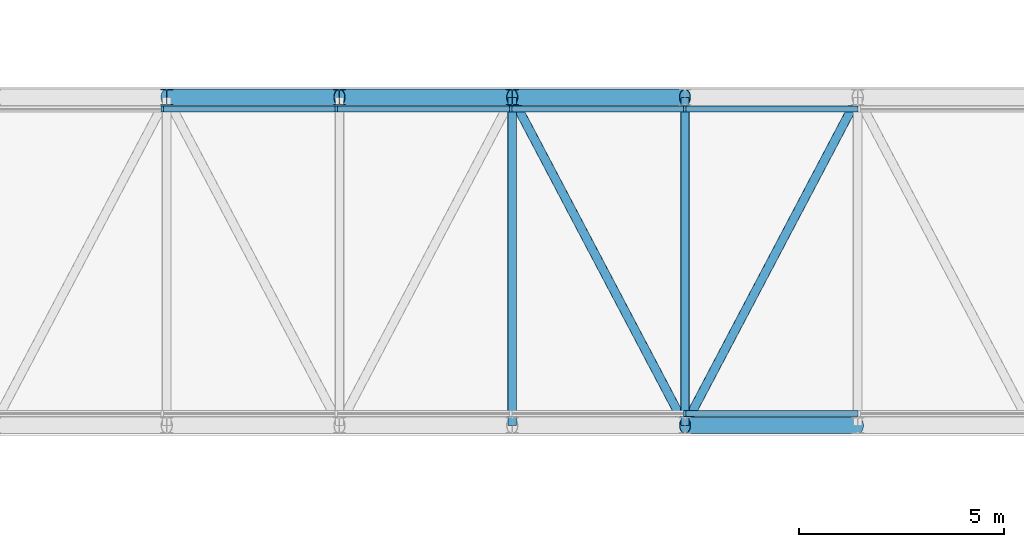
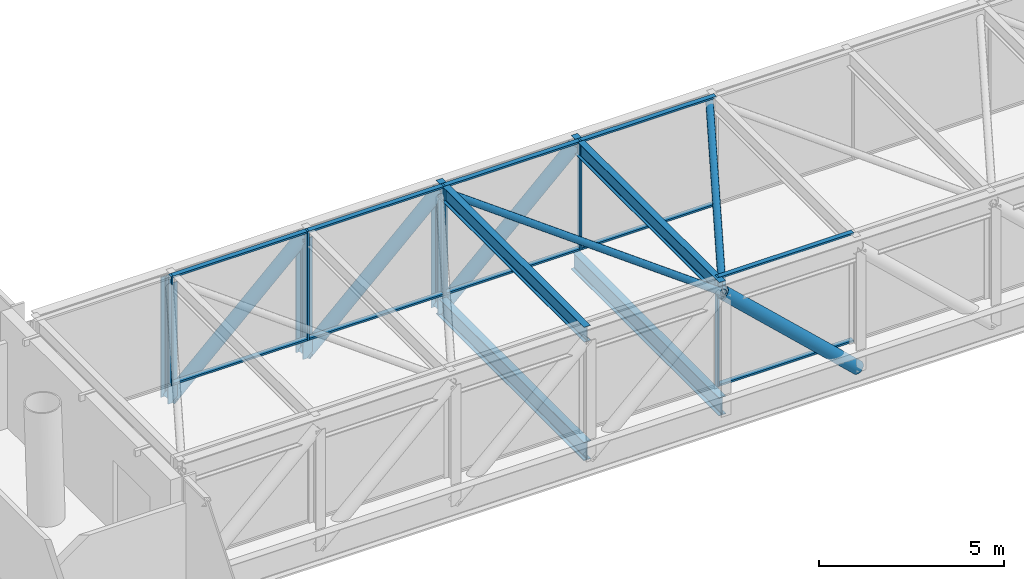
# One storey, part 5 of 19: 24 members, 4 beams, 2 elements without a shape of their own.
"""IFC4 building model written with IfcOpenShell, lengths in metres."""

import ifcopenshell
import ifcopenshell.guid

model = None  # the IFC model being written
_history = None  # IfcOwnerHistory: only IFC2X3 demands one
_inside = {}  # id of a spatial element -> (the spatial element, [elements in it])
_under = {}  # id of a project, library or spatial element -> (it, [spatial elements below it])
_declared = {}  # id of a project -> (the project, [libraries it declares])
_typed = {}  # id of a type object -> (the type object, [elements of that type])
_made_of = {}  # id of a material, layer set ... -> (it, [elements and type objects made of it])


def new_model(schema):
    """Start an empty IFC model of exactly this schema.

    Asked for "IFC4X3", IfcOpenShell would pick the latest addendum, in which some entities
    have other attributes; the version numbers below select the first issue.
    IFC2X3 requires an IfcOwnerHistory on every rooted entity: one is made here for all.
    """
    global model, _history
    if schema == "IFC4X3":
        model = ifcopenshell.file(schema_version=(4, 3, 0, 0))
    else:
        model = ifcopenshell.file(schema=schema)
    _inside.clear()
    _under.clear()
    _declared.clear()
    _typed.clear()
    _made_of.clear()
    _history = None
    if model.schema == "IFC2X3":
        org = make("IfcOrganization", Name="unknown")
        user = make(
            "IfcPersonAndOrganization",
            ThePerson=make("IfcPerson", FamilyName="unknown"),
            TheOrganization=org,
        )
        app = make(
            "IfcApplication",
            ApplicationDeveloper=org,
            Version="unknown",
            ApplicationFullName="unknown",
            ApplicationIdentifier="unknown",
        )
        _history = make(
            "IfcOwnerHistory",
            OwningUser=user,
            OwningApplication=app,
            ChangeAction="ADDED",
            CreationDate=0,
        )
    return model


def make(cls, **values):
    """One entity of the class cls with the attributes given. An attribute that is None is left unset."""
    return model.create_entity(
        cls, **{name: value for name, value in values.items() if value is not None}
    )


def rooted(cls, **values):
    """An entity with a GlobalId (a new one), such as an element, a storey or a relation."""
    return make(cls, GlobalId=ifcopenshell.guid.new(), OwnerHistory=_history, **values)


def si_unit(unit_type, name, prefix=None):
    """IfcSIUnit, for example si_unit("LENGTHUNIT", "METRE", prefix="MILLI")."""
    return make("IfcSIUnit", UnitType=unit_type, Prefix=prefix, Name=name)


def assignment(units):
    """IfcUnitAssignment: the units of a project."""
    return None if units is None else make("IfcUnitAssignment", Units=units)


def point(xyz):
    """IfcCartesianPoint."""
    return None if xyz is None else make("IfcCartesianPoint", Coordinates=xyz)


def direction(xyz):
    """IfcDirection."""
    return None if xyz is None else make("IfcDirection", DirectionRatios=xyz)


def frame(location, z_axis=None, x_axis=None):
    """IfcAxis2Placement3D, a coordinate frame: its origin and axes. An axis left out is left unset."""
    return make(
        "IfcAxis2Placement3D",
        Location=point(location),
        Axis=direction(z_axis),
        RefDirection=direction(x_axis),
    )


def frame_2d(location, x_axis=None):
    """IfcAxis2Placement2D, a coordinate frame in the plane: its origin and x axis."""
    return make(
        "IfcAxis2Placement2D", Location=point(location), RefDirection=direction(x_axis)
    )


def origin():
    """The frame at (0, 0, 0) with its axes left unset."""
    return frame((0.0, 0.0, 0.0))


def origin_2d():
    """The frame at (0, 0) in the plane with its x axis left unset."""
    return frame_2d((0.0, 0.0))


def place(relative_to, where):
    """IfcLocalPlacement: puts the frame where relative to a parent placement (None: the world)."""
    return make(
        "IfcLocalPlacement", PlacementRelTo=relative_to, RelativePlacement=where
    )


def context(
    kind, dimensions, precision=None, world=None, true_north=None, identifier=None
):
    """IfcGeometricRepresentationContext, for example the 3D "Model" context."""
    return make(
        "IfcGeometricRepresentationContext",
        ContextIdentifier=identifier,
        ContextType=kind,
        CoordinateSpaceDimension=dimensions,
        Precision=precision,
        WorldCoordinateSystem=world,
        TrueNorth=true_north,
    )


def subcontext(parent, identifier, kind, view, scale=None):
    """IfcGeometricRepresentationSubContext, for example "Body" below "Model"."""
    return make(
        "IfcGeometricRepresentationSubContext",
        ContextIdentifier=identifier,
        ContextType=kind,
        ParentContext=parent,
        TargetScale=scale,
        TargetView=view,
    )


def project(units=None, contexts=None):
    """IfcProject with its units and contexts."""
    return rooted(
        "IfcProject",
        Name="project",
        RepresentationContexts=contexts,
        UnitsInContext=assignment(units),
    )


def spatial(cls, under=None, at=None, **own):
    """A site, building, storey or space (cls), placed at a placement, below another one or the project."""
    s = rooted(cls, ObjectPlacement=at, **own)
    if under is not None:
        _under.setdefault(under.id(), (under, []))[1].append(s)
    return s


def profile(cls, at=None, kind="AREA", **sizes):
    """A parametric profile (cls). Its sizes go by their IFC names, for example OverallWidth=200.0."""
    return make(cls, ProfileType=kind, Position=at, **sizes)


def rectangle(**sizes):
    """IfcRectangleProfileDef."""
    return profile("IfcRectangleProfileDef", **sizes)


def hollow_circle(**sizes):
    """IfcCircleHollowProfileDef."""
    return profile("IfcCircleHollowProfileDef", **sizes)


def i_section(**sizes):
    """IfcIShapeProfileDef."""
    return profile("IfcIShapeProfileDef", **sizes)


def extrude(swept, where, along, depth):
    """IfcExtrudedAreaSolid: the profile swept, set in the frame where, extruded along a direction by depth."""
    return make(
        "IfcExtrudedAreaSolid",
        SweptArea=swept,
        Position=where,
        ExtrudedDirection=direction(along),
        Depth=depth,
    )


def shape(context_of_items, identifier, shape_type, items):
    """IfcShapeRepresentation: the items that make up one representation, for example the "Body"."""
    return make(
        "IfcShapeRepresentation",
        ContextOfItems=context_of_items,
        RepresentationIdentifier=identifier,
        RepresentationType=shape_type,
        Items=items,
    )


def material(Name=None, Category=None):
    """IfcMaterial."""
    return make("IfcMaterial", Name=Name, Category=Category)


def material_profile(
    of_material, cross_section, Name=None, Category=None, Priority=None
):
    """IfcMaterialProfile: a cross section and its material."""
    return make(
        "IfcMaterialProfile",
        Name=Name,
        Material=of_material,
        Profile=cross_section,
        Priority=Priority,
        Category=Category,
    )


def profile_set(profiles, Name=None, composite=None):
    """IfcMaterialProfileSet."""
    return make(
        "IfcMaterialProfileSet",
        Name=Name,
        MaterialProfiles=profiles,
        CompositeProfile=composite,
    )


def made_of(thing, what):
    """Note that an element or type object is made of a material, layer set ...; save() writes the relation."""
    if what is not None:
        _made_of.setdefault(what.id(), (what, []))[1].append(thing)
    return thing


def type_object(cls, material=None, **own):
    """A type object (cls), such as IfcWallType, which elements share."""
    return made_of(rooted(cls, **own), material)


def element(
    cls,
    number,
    at=None,
    inside=None,
    cuts=None,
    type_object=None,
    material=None,
    context=None,
    identifier="Body",
    shape_type=None,
    held_by="IfcProductDefinitionShape",
    body=None,
    shapes=None,
    **own,
):
    """One element of the class cls, such as IfcWall. Its Tag is "e" and its number.

    at: its placement. inside: the storey or other place that contains it. cuts: it is an
    opening in that element (IfcRelVoidsElement). A single representation is given by context,
    identifier, shape_type and body (its items); several are given by shapes. held_by: the class
    of the entity that holds the representations. save() writes the other relations.
    """
    e = rooted(cls, Tag="e%d" % number, ObjectPlacement=at, **own)
    if body is not None:
        shapes = [shape(context, identifier, shape_type, body)]
    if shapes is not None:
        e.Representation = make(held_by, Representations=shapes)
    if inside is not None:
        _inside.setdefault(inside.id(), (inside, []))[1].append(e)
    if cuts is not None:
        rooted(
            "IfcRelVoidsElement", RelatingBuildingElement=cuts, RelatedOpeningElement=e
        )
    if type_object is not None:
        _typed.setdefault(type_object.id(), (type_object, []))[1].append(e)
    return made_of(e, material)


def aggregate(whole, parts):
    """IfcRelAggregates: a whole, such as a stair, and the parts it consists of."""
    return rooted("IfcRelAggregates", RelatingObject=whole, RelatedObjects=parts)


def save(model, path):
    """Write the relations noted so far, then the file.

    IfcRelAggregates (storeys below a building ...), IfcRelContainedInSpatialStructure (elements
    in a storey), IfcRelDefinesByType, IfcRelAssociatesMaterial and IfcRelDeclares: one each for
    every whole, place, type object, material and project.
    """
    for whole, parts in _under.values():
        aggregate(whole, parts)
    for where, things in _inside.values():
        rooted(
            "IfcRelContainedInSpatialStructure",
            RelatedElements=things,
            RelatingStructure=where,
        )
    for kind, things in _typed.values():
        rooted("IfcRelDefinesByType", RelatedObjects=things, RelatingType=kind)
    for what, things in _made_of.values():
        rooted("IfcRelAssociatesMaterial", RelatedObjects=things, RelatingMaterial=what)
    for by, libraries in _declared.values():
        rooted("IfcRelDeclares", RelatingContext=by, RelatedDefinitions=libraries)
    model.write(path)


model = new_model("IFC4")

# Units and contexts
model_context = context("Model", 3, precision=1e-05, world=origin(), true_north=direction((0.0, 1.0)))
body_context = subcontext(model_context, "Body", "Model", "MODEL_VIEW")
ifc_project = project(units=[si_unit("LENGTHUNIT", "METRE"), si_unit("AREAUNIT", "SQUARE_METRE"), si_unit("VOLUMEUNIT", "CUBIC_METRE"), si_unit("PLANEANGLEUNIT", "RADIAN"), si_unit("MASSUNIT", "GRAM", prefix="KILO")], contexts=[model_context])

# Site, building, storey
site_placement = place(None, origin())
site = spatial("IfcSite", under=ifc_project, at=site_placement, CompositionType="ELEMENT")
building_placement = place(site_placement, origin())
building = spatial("IfcBuilding", under=site, at=building_placement, Name="Ostroluk Exchange", CompositionType="ELEMENT")
storey_placement = place(building_placement, frame((0.0, 0.0, 131.199951171875)))
storey = spatial("IfcBuildingStorey", under=building, at=storey_placement, Name="L33", CompositionType="ELEMENT", Elevation=131.199951171875)

# Beams
ifc_material_1 = material(Name="Steel S355", Category="steel")
ifc_material_profile_1 = material_profile(ifc_material_1, i_section(OverallWidth=0.199951171875, OverallDepth=0.5, WebThickness=0.01025390625, FlangeThickness=0.01611328125, FilletRadius=0.02099609375, at=origin_2d()), Name="IPE 500")
ifc_profile_set_1 = profile_set([ifc_material_profile_1], Name="Steel S355")
beam_type_1 = type_object("IfcBeamType", Name="Bridge cross beam IPE 500", PredefinedType="BEAM", material=ifc_profile_set_1)
for number, where, z_axis, x_axis, name in (
    (1, (80.03759765625, 42.0, 3.35009765625), (0.0, 1.0, 0.0), (-1.0, 0.0, 0.0), "BR2 roof cross beam 4"),
    (2, (84.25, 42.0, 3.35009765625), (0.0, 1.0, 0.0), (-1.0, 0.0, 0.0), "BR2 roof cross beam 5"),
):
    element("IfcBeam", number, at=place(storey_placement, frame(where, z_axis=z_axis, x_axis=x_axis)), inside=storey, type_object=beam_type_1, Name=name, PredefinedType="BEAM", context=body_context, shape_type="SweptSolid", body=[
        extrude(i_section(OverallWidth=0.199951171875, OverallDepth=0.5, WebThickness=0.01025390625, FlangeThickness=0.01611328125, FilletRadius=0.02099609375, at=origin_2d()), origin(), (0.0, 0.0, 1.0), 8.0),
    ])
ifc_material_2 = material(Name="Steel S355", Category="steel")
ifc_material_profile_2 = material_profile(ifc_material_2, i_section(OverallWidth=0.219970703125, OverallDepth=0.60009765625, WebThickness=0.011962890625, FlangeThickness=0.01904296875, FilletRadius=0.02392578125, at=origin_2d()), Name="IPE 600")
ifc_profile_set_2 = profile_set([ifc_material_profile_2], Name="Steel S355")
beam_type_2 = type_object("IfcBeamType", Name="Bridge cross beam IPE 600", PredefinedType="BEAM", material=ifc_profile_set_2)
for number, where, z_axis, x_axis, name in (
    (3, (80.03759765625, 42.0, -0.5), (0.0, 1.0, 0.0), (-1.0, 0.0, 0.0), "BR2 deck cross beam 4"),
    (4, (84.25, 42.0, -0.5), (0.0, 1.0, 0.0), (-1.0, 0.0, 0.0), "BR2 deck cross beam 5"),
):
    element("IfcBeam", number, at=place(storey_placement, frame(where, z_axis=z_axis, x_axis=x_axis)), inside=storey, type_object=beam_type_2, Name=name, PredefinedType="BEAM", context=body_context, shape_type="SweptSolid", body=[
        extrude(i_section(OverallWidth=0.219970703125, OverallDepth=0.60009765625, WebThickness=0.011962890625, FlangeThickness=0.01904296875, FilletRadius=0.02392578125, at=origin_2d()), origin(), (0.0, 0.0, 1.0), 8.0),
    ])

# Curtain wall, member
ifc_material_3 = material(Name="Laminated clear glass", Category="glass")
curtain_wall_type = type_object("IfcCurtainWallType", Name="Bridge glazing", PredefinedType="USERDEFINED", material=ifc_material_3)
curtain_wall_1_placement = place(storey_placement, origin())
curtain_wall_1 = element("IfcCurtainWall", 5, at=curtain_wall_1_placement, inside=storey, type_object=curtain_wall_type, Name="Sky garden bridge south glazing", ObjectType="STICK CURTAIN WALL", PredefinedType="USERDEFINED")
ifc_material_4 = material(Name="Aluminium mullion", Category="aluminium")
ifc_material_profile_3 = material_profile(ifc_material_4, rectangle(XDim=0.14990234375, YDim=0.06005859375, at=origin_2d()), Name="Bridge mullion 60 x 150")
ifc_profile_set_3 = profile_set([ifc_material_profile_3], Name="Aluminium mullion")
member_type_1 = type_object("IfcMemberType", Name="Bridge mullion 60 x 150", PredefinedType="MULLION", material=ifc_profile_set_3)
member_1_placement = place(storey_placement, frame((84.25, 42.2900390625, 0.0), z_axis=(0.0, 0.0, 1.0), x_axis=(0.0, 1.0, 0.0)))
member_1 = element("IfcMember", 6, at=member_1_placement, type_object=member_type_1, Name="CW-BR1 mullion 5", PredefinedType="MULLION", context=body_context, shape_type="SweptSolid", body=[
    extrude(rectangle(XDim=0.14990234375, YDim=0.06005859375, at=origin_2d()), origin(), (0.0, 0.0, 1.0), 3.60009765625),
])

# Curtain wall, members
curtain_wall_2_placement = place(storey_placement, origin())
curtain_wall_2 = element("IfcCurtainWall", 7, at=curtain_wall_2_placement, inside=storey, type_object=curtain_wall_type, Name="Sky garden bridge north glazing", ObjectType="STICK CURTAIN WALL", PredefinedType="USERDEFINED")
member_2_placement = place(storey_placement, frame((84.25, 49.7099609375, 0.0), z_axis=(0.0, 0.0, 1.0), x_axis=(0.0, -1.0, 0.0)))
member_2 = element("IfcMember", 8, at=member_2_placement, type_object=member_type_1, Name="CW-BR1 mullion 5", PredefinedType="MULLION", context=body_context, shape_type="SweptSolid", body=[
    extrude(rectangle(XDim=0.14990234375, YDim=0.06005859375, at=origin_2d()), origin(), (0.0, 0.0, 1.0), 3.60009765625),
])
member_3_placement = place(storey_placement, frame((80.0, 49.7099609375, 0.0), z_axis=(0.0, 0.0, 1.0), x_axis=(0.0, -1.0, 0.0)))
member_3 = element("IfcMember", 9, at=member_3_placement, type_object=member_type_1, Name="CW-BR1 mullion 6", PredefinedType="MULLION", context=body_context, shape_type="SweptSolid", body=[
    extrude(rectangle(XDim=0.14990234375, YDim=0.06005859375, at=origin_2d()), origin(), (0.0, 0.0, 1.0), 3.60009765625),
])
member_4_placement = place(storey_placement, frame((75.75, 49.7099609375, 0.0), z_axis=(0.0, 0.0, 1.0), x_axis=(0.0, -1.0, 0.0)))
member_4 = element("IfcMember", 10, at=member_4_placement, type_object=member_type_1, Name="CW-BR1 mullion 7", PredefinedType="MULLION", context=body_context, shape_type="SweptSolid", body=[
    extrude(rectangle(XDim=0.14990234375, YDim=0.06005859375, at=origin_2d()), origin(), (0.0, 0.0, 1.0), 3.60009765625),
])
member_5_placement = place(storey_placement, frame((71.5, 49.7099609375, 0.0), z_axis=(0.0, 0.0, 1.0), x_axis=(0.0, -1.0, 0.0)))
member_5 = element("IfcMember", 11, at=member_5_placement, type_object=member_type_1, Name="CW-BR1 mullion 8", PredefinedType="MULLION", context=body_context, shape_type="SweptSolid", body=[
    extrude(rectangle(XDim=0.14990234375, YDim=0.06005859375, at=origin_2d()), origin(), (0.0, 0.0, 1.0), 3.60009765625),
])

# Members
ifc_material_5 = material(Name="Steel S460", Category="steel")
ifc_material_profile_4 = material_profile(ifc_material_5, hollow_circle(Radius=0.109619140625, WallThickness=0.010009765625, at=origin_2d()), Name="CHS 219.1x10")
ifc_profile_set_4 = profile_set([ifc_material_profile_4], Name="Steel S460")
member_type_2 = type_object("IfcMemberType", Name="Bridge plan bracing CHS 219.1x10", PredefinedType="BRACE", material=ifc_profile_set_4)
for number, where, z_axis, x_axis, name in (
    (12, (80.03759765625, 50.0, 3.25), (0.465908911283, -0.884832688358, 0.0), (0.884832688358, 0.465908911283, 0.0), "BR2 roof plan brace 4"),
    (13, (84.25, 42.0, 3.25), (0.465908911283, 0.884832688358, 0.0), (-0.884832688358, 0.465908911283, 0.0), "BR2 roof plan brace 5"),
):
    element("IfcMember", number, at=place(storey_placement, frame(where, z_axis=z_axis, x_axis=x_axis)), inside=storey, type_object=member_type_2, Name=name, PredefinedType="BRACE", context=body_context, shape_type="SweptSolid", body=[
        extrude(hollow_circle(Radius=0.109619140625, WallThickness=0.010009765625, at=origin_2d()), origin(), (0.0, 0.0, 1.0), 9.041259765625),
    ])

# Member
ifc_material_6 = material(Name="Aluminium mullion", Category="aluminium")
ifc_material_profile_5 = material_profile(ifc_material_6, rectangle(XDim=0.14990234375, YDim=0.06005859375, at=origin_2d()), Name="Bridge transom 60 x 150")
ifc_profile_set_5 = profile_set([ifc_material_profile_5], Name="Aluminium mullion")
member_type_3 = type_object("IfcMemberType", Name="Bridge transom 60 x 150", PredefinedType="USERDEFINED", material=ifc_profile_set_5)
member_6_placement = place(storey_placement, frame((84.280029296875, 42.2900390625, 0.030029296875), z_axis=(1.0, 0.0, 0.0), x_axis=(0.0, 1.0, 0.0)))
member_6 = element("IfcMember", 14, at=member_6_placement, type_object=member_type_3, Name="CW-BR1 transom 5.1", ObjectType="TRANSOM", PredefinedType="USERDEFINED", context=body_context, shape_type="SweptSolid", body=[
    extrude(rectangle(XDim=0.14990234375, YDim=0.06005859375, at=origin_2d()), origin(), (0.0, 0.0, 1.0), 4.18994140625),
])

member_7_placement = place(storey_placement, frame((84.280029296875, 42.2900390625, 3.570068359375), z_axis=(1.0, 0.0, 0.0), x_axis=(0.0, 1.0, 0.0)))
member_7 = element("IfcMember", 15, at=member_7_placement, type_object=member_type_3, Name="CW-BR1 transom 5.2", ObjectType="TRANSOM", PredefinedType="USERDEFINED", context=body_context, shape_type="SweptSolid", body=[
    extrude(rectangle(XDim=0.14990234375, YDim=0.06005859375, at=origin_2d()), origin(), (0.0, 0.0, 1.0), 4.18994140625),
])

aggregate(curtain_wall_1, [member_1, member_6, member_7])

member_8_placement = place(storey_placement, frame((88.469970703125, 49.7099609375, 0.030029296875), z_axis=(-1.0, 0.0, 0.0), x_axis=(0.0, -1.0, 0.0)))
member_8 = element("IfcMember", 16, at=member_8_placement, type_object=member_type_3, Name="CW-BR1 transom 4.1", ObjectType="TRANSOM", PredefinedType="USERDEFINED", context=body_context, shape_type="SweptSolid", body=[
    extrude(rectangle(XDim=0.14990234375, YDim=0.06005859375, at=origin_2d()), origin(), (0.0, 0.0, 1.0), 4.18994140625),
])

member_9_placement = place(storey_placement, frame((88.469970703125, 49.7099609375, 3.570068359375), z_axis=(-1.0, 0.0, 0.0), x_axis=(0.0, -1.0, 0.0)))
member_9 = element("IfcMember", 17, at=member_9_placement, type_object=member_type_3, Name="CW-BR1 transom 4.2", ObjectType="TRANSOM", PredefinedType="USERDEFINED", context=body_context, shape_type="SweptSolid", body=[
    extrude(rectangle(XDim=0.14990234375, YDim=0.06005859375, at=origin_2d()), origin(), (0.0, 0.0, 1.0), 4.18994140625),
])

member_10_placement = place(storey_placement, frame((84.219970703125, 49.7099609375, 0.030029296875), z_axis=(-1.0, 0.0, 0.0), x_axis=(0.0, -1.0, 0.0)))
member_10 = element("IfcMember", 18, at=member_10_placement, type_object=member_type_3, Name="CW-BR1 transom 5.1", ObjectType="TRANSOM", PredefinedType="USERDEFINED", context=body_context, shape_type="SweptSolid", body=[
    extrude(rectangle(XDim=0.14990234375, YDim=0.06005859375, at=origin_2d()), origin(), (0.0, 0.0, 1.0), 4.18994140625),
])

member_11_placement = place(storey_placement, frame((84.219970703125, 49.7099609375, 3.570068359375), z_axis=(-1.0, 0.0, 0.0), x_axis=(0.0, -1.0, 0.0)))
member_11 = element("IfcMember", 19, at=member_11_placement, type_object=member_type_3, Name="CW-BR1 transom 5.2", ObjectType="TRANSOM", PredefinedType="USERDEFINED", context=body_context, shape_type="SweptSolid", body=[
    extrude(rectangle(XDim=0.14990234375, YDim=0.06005859375, at=origin_2d()), origin(), (0.0, 0.0, 1.0), 4.18994140625),
])

member_12_placement = place(storey_placement, frame((79.969970703125, 49.7099609375, 0.030029296875), z_axis=(-1.0, 0.0, 0.0), x_axis=(0.0, -1.0, 0.0)))
member_12 = element("IfcMember", 20, at=member_12_placement, type_object=member_type_3, Name="CW-BR1 transom 6.1", ObjectType="TRANSOM", PredefinedType="USERDEFINED", context=body_context, shape_type="SweptSolid", body=[
    extrude(rectangle(XDim=0.14990234375, YDim=0.06005859375, at=origin_2d()), origin(), (0.0, 0.0, 1.0), 4.18994140625),
])

member_13_placement = place(storey_placement, frame((79.969970703125, 49.7099609375, 3.570068359375), z_axis=(-1.0, 0.0, 0.0), x_axis=(0.0, -1.0, 0.0)))
member_13 = element("IfcMember", 21, at=member_13_placement, type_object=member_type_3, Name="CW-BR1 transom 6.2", ObjectType="TRANSOM", PredefinedType="USERDEFINED", context=body_context, shape_type="SweptSolid", body=[
    extrude(rectangle(XDim=0.14990234375, YDim=0.06005859375, at=origin_2d()), origin(), (0.0, 0.0, 1.0), 4.18994140625),
])

member_14_placement = place(storey_placement, frame((75.719970703125, 49.7099609375, 0.030029296875), z_axis=(-1.0, 0.0, 0.0), x_axis=(0.0, -1.0, 0.0)))
member_14 = element("IfcMember", 22, at=member_14_placement, type_object=member_type_3, Name="CW-BR1 transom 7.1", ObjectType="TRANSOM", PredefinedType="USERDEFINED", context=body_context, shape_type="SweptSolid", body=[
    extrude(rectangle(XDim=0.14990234375, YDim=0.06005859375, at=origin_2d()), origin(), (0.0, 0.0, 1.0), 4.18994140625),
])

member_15_placement = place(storey_placement, frame((75.719970703125, 49.7099609375, 3.570068359375), z_axis=(-1.0, 0.0, 0.0), x_axis=(0.0, -1.0, 0.0)))
member_15 = element("IfcMember", 23, at=member_15_placement, type_object=member_type_3, Name="CW-BR1 transom 7.2", ObjectType="TRANSOM", PredefinedType="USERDEFINED", context=body_context, shape_type="SweptSolid", body=[
    extrude(rectangle(XDim=0.14990234375, YDim=0.06005859375, at=origin_2d()), origin(), (0.0, 0.0, 1.0), 4.18994140625),
])

aggregate(curtain_wall_2, [member_2, member_3, member_4, member_5, member_8, member_9, member_10, member_11, member_12, member_13, member_14, member_15])

# Members
ifc_material_7 = material(Name="Steel S460", Category="steel")
ifc_material_profile_6 = material_profile(ifc_material_7, hollow_circle(Radius=0.203125, WallThickness=0.01611328125, at=origin_2d()), Name="CHS 406.4x16")
ifc_profile_set_6 = profile_set([ifc_material_profile_6], Name="Steel S460")
member_type_4 = type_object("IfcMemberType", Name="Bridge truss diagonal CHS 406.4x16", PredefinedType="BRACE", material=ifc_profile_set_6)
for number, where, z_axis, x_axis, name in (
    (24, (88.46240234375, 42.0, -0.7060546875), (-0.728938784526, 0.0, 0.684578883996), (0.0, -1.0, 0.0), "BR2 S diagonal 5"),
    (25, (71.612548828125, 50.0, -0.7060546875), (0.728938784526, 0.0, 0.684578883996), (0.0, 1.0, 0.0), "BR2 N diagonal 2"),
):
    element("IfcMember", number, at=place(storey_placement, frame(where, z_axis=z_axis, x_axis=x_axis)), inside=storey, type_object=member_type_4, Name=name, PredefinedType="BRACE", context=body_context, shape_type="SweptSolid", body=[
        extrude(hollow_circle(Radius=0.203125, WallThickness=0.01611328125, at=origin_2d()), origin(), (0.0, 0.0, 1.0), 5.77880859375),
    ])
member_16_placement = place(storey_placement, frame((75.824951171875, 50.0, -0.7060546875), z_axis=(0.72895858284, 0.0, 0.684557802164), x_axis=(0.0, 1.0, 0.0)))
element("IfcMember", 26, at=member_16_placement, inside=storey, type_object=member_type_4, Name="BR2 N diagonal 3", PredefinedType="BRACE", context=body_context, shape_type="SweptSolid", body=[
    extrude(hollow_circle(Radius=0.203125, WallThickness=0.01611328125, at=origin_2d()), origin(), (0.0, 0.0, 1.0), 5.779052734375),
])
member_17_placement = place(storey_placement, frame((80.03759765625, 50.0, -0.7060546875), z_axis=(0.728938784526, 0.0, 0.684578883996), x_axis=(0.0, 1.0, 0.0)))
element("IfcMember", 27, at=member_17_placement, inside=storey, type_object=member_type_4, Name="BR2 N diagonal 4", PredefinedType="BRACE", context=body_context, shape_type="SweptSolid", body=[
    extrude(hollow_circle(Radius=0.203125, WallThickness=0.01611328125, at=origin_2d()), origin(), (0.0, 0.0, 1.0), 5.77880859375),
])
ifc_material_8 = material(Name="Steel S460", Category="steel")
ifc_material_profile_7 = material_profile(ifc_material_8, i_section(OverallWidth=0.300048828125, OverallDepth=0.39990234375, WebThickness=0.013427734375, FlangeThickness=0.02392578125, FilletRadius=0.027099609375, at=origin_2d()), Name="HEB 400")
ifc_profile_set_7 = profile_set([ifc_material_profile_7], Name="Steel S460")
member_type_5 = type_object("IfcMemberType", Name="Bridge truss post HEB 400", PredefinedType="POST", material=ifc_profile_set_7)
for number, where, z_axis, x_axis, name in (
    (28, (71.612548828125, 50.0, -0.7060546875), (0.0, 0.0, 1.0), (1.0, 0.0, 0.0), "BR2 N post 2"),
    (29, (75.824951171875, 50.0, -0.7060546875), (0.0, 0.0, 1.0), (1.0, 0.0, 0.0), "BR2 N post 3"),
    (30, (80.03759765625, 50.0, -0.7060546875), (0.0, 0.0, 1.0), (1.0, 0.0, 0.0), "BR2 N post 4"),
):
    element("IfcMember", number, at=place(storey_placement, frame(where, z_axis=z_axis, x_axis=x_axis)), inside=storey, type_object=member_type_5, Name=name, PredefinedType="POST", context=body_context, shape_type="SweptSolid", body=[
        extrude(i_section(OverallWidth=0.300048828125, OverallDepth=0.39990234375, WebThickness=0.013427734375, FlangeThickness=0.02392578125, FilletRadius=0.027099609375, at=origin_2d()), origin(), (0.0, 0.0, 1.0), 3.9560546875),
    ])

save(model, "model.ifc")
